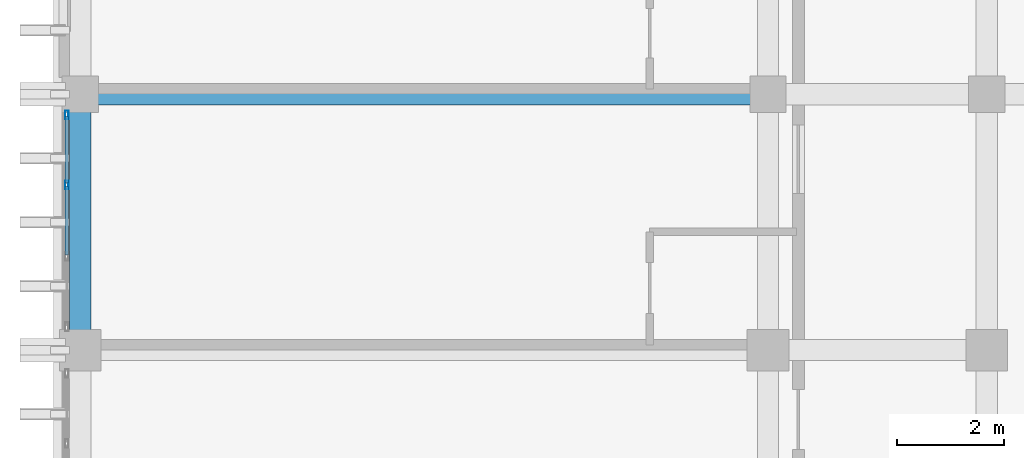
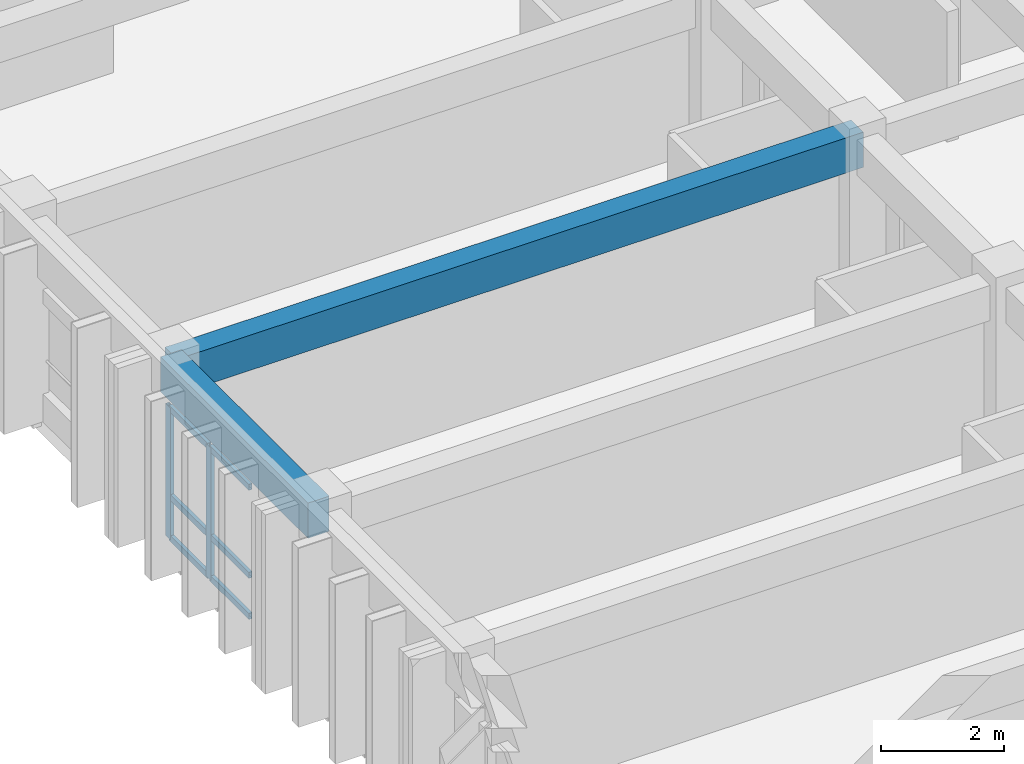
# One storey, part 18 of 68: 8 members, 2 beams, 1 element without a shape of its own.
"""IFC4 building model written with IfcOpenShell, lengths in metres."""

from ifc_helpers import new_model, si_unit, direction, frame, origin, origin_2d, place, context, subcontext, project, spatial, rectangle, hollow_rectangle, extrude, material, layer, layer_set, material_profile, profile_set, type_object, element, aggregate, save


model = new_model("IFC4")

# Units and contexts
model_context = context("Model", 3, precision=1e-05, world=origin(), true_north=direction((0.0, 1.0)))
body_context = subcontext(model_context, "Body", "Model", "MODEL_VIEW")
ifc_project = project(units=[si_unit("LENGTHUNIT", "METRE"), si_unit("AREAUNIT", "SQUARE_METRE"), si_unit("VOLUMEUNIT", "CUBIC_METRE"), si_unit("PLANEANGLEUNIT", "RADIAN"), si_unit("MASSUNIT", "GRAM", prefix="KILO")], contexts=[model_context])

# Site, building, storey
site_placement = place(None, origin())
site = spatial("IfcSite", under=ifc_project, at=site_placement, CompositionType="ELEMENT")
building_placement = place(site_placement, origin())
building = spatial("IfcBuilding", under=site, at=building_placement, Name="Nakhvara Creek Congress Hotel", CompositionType="ELEMENT")
storey_placement = place(building_placement, frame((0.0, 0.0, 24.60009765625)))
storey = spatial("IfcBuildingStorey", under=building, at=storey_placement, Name="L05", CompositionType="ELEMENT", Elevation=24.60009765625)

# Beams
ifc_material_1 = material(Name="Concrete C40/50", Category="concrete")
ifc_material_profile_1 = material_profile(ifc_material_1, rectangle(XDim=0.39990234375, YDim=0.699951171875, at=origin_2d()), Name="RC-BM 400x700", Category="LoadBearing")
ifc_profile_set_1 = profile_set([ifc_material_profile_1], Name="Concrete C40/50")
beam_type = type_object("IfcBeamType", Name="BM-RC-400X700", PredefinedType="BEAM", material=ifc_profile_set_1)
beam_1_placement = place(storey_placement, frame((149.449951171875, 57.60009765625, 2.989990234375), z_axis=(0.0, 1.0, 0.0), x_axis=(-1.0, 0.0, 0.0)))
element("IfcBeam", 1, at=beam_1_placement, inside=storey, type_object=beam_type, Name="Beam B05-L05-2068", PredefinedType="BEAM", context=body_context, shape_type="SweptSolid", body=[
    extrude(rectangle(XDim=0.39990234375, YDim=0.699951171875, at=origin_2d()), origin(), (0.0, 0.0, 1.0), 4.7998046875),
])
beam_2_placement = place(storey_placement, frame((149.449951171875, 62.39990234375, 2.989990234375), z_axis=(1.0, 0.0, 0.0), x_axis=(0.0, 1.0, 0.0)))
element("IfcBeam", 2, at=beam_2_placement, inside=storey, type_object=beam_type, Name="Beam B05-L05-2170", PredefinedType="BEAM", context=body_context, shape_type="SweptSolid", body=[
    extrude(rectangle(XDim=0.39990234375, YDim=0.699951171875, at=origin_2d()), origin(), (0.0, 0.0, 1.0), 12.900146484375),
])

# Curtain wall, members
ifc_material_2 = material(Name="Bronze-anodised aluminium AW-6063-T6 and double-silver low-E glass", Category="aluminium")
ifc_layer = layer(ifc_material_2, 0.199951171875)
ifc_layer_set = layer_set([ifc_layer], Name="Bronze-anodised aluminium AW-6063-T6 and double-silver low-E glass")
curtain_wall_type = type_object("IfcCurtainWallType", Name="CW-HTL-UNIT", PredefinedType="USERDEFINED", material=ifc_layer_set)
curtain_wall_placement = place(storey_placement, origin())
curtain_wall = element("IfcCurtainWall", 3, at=curtain_wall_placement, inside=storey, type_object=curtain_wall_type, Name="Curtain Wall CW211", ObjectType="UNITISED", PredefinedType="USERDEFINED")
ifc_material_3 = material(Name="Bronze-anodised aluminium AW-6063-T6", Category="aluminium")
ifc_material_profile_2 = material_profile(ifc_material_3, hollow_rectangle(XDim=0.06494140625, YDim=0.159912109375, WallThickness=0.00390625, at=origin_2d()), Name="ALU-MULL 65x160x4", Category="LoadBearing")
ifc_profile_set_2 = profile_set([ifc_material_profile_2], Name="Bronze-anodised aluminium AW-6063-T6")
member_type_1 = type_object("IfcMemberType", Name="CW-MULL-160", PredefinedType="MULLION", material=ifc_profile_set_2)
member_1_placement = place(storey_placement, frame((149.199951171875, 60.6982421875, 0.0), z_axis=(0.0, 0.0, 1.0), x_axis=(-1.0, 0.0, 0.0)))
member_1 = element("IfcMember", 4, at=member_1_placement, type_object=member_type_1, Name="CW211 mullion 3", PredefinedType="MULLION", context=body_context, shape_type="SweptSolid", body=[
    extrude(hollow_rectangle(XDim=0.06494140625, YDim=0.159912109375, WallThickness=0.00390625, at=origin_2d()), origin(), (0.0, 0.0, 1.0), 2.6318359375),
])
member_2_placement = place(storey_placement, frame((149.199951171875, 62.012451171875, 0.0), z_axis=(0.0, 0.0, 1.0), x_axis=(-1.0, 0.0, 0.0)))
member_2 = element("IfcMember", 5, at=member_2_placement, type_object=member_type_1, Name="CW211 mullion 4", PredefinedType="MULLION", context=body_context, shape_type="SweptSolid", body=[
    extrude(hollow_rectangle(XDim=0.06494140625, YDim=0.159912109375, WallThickness=0.00390625, at=origin_2d()), origin(), (0.0, 0.0, 1.0), 2.6318359375),
])
ifc_material_profile_3 = material_profile(ifc_material_3, hollow_rectangle(XDim=0.06494140625, YDim=0.1201171875, WallThickness=0.00390625, at=origin_2d()), Name="ALU-TRAN 65x120x4", Category="LoadBearing")
ifc_profile_set_3 = profile_set([ifc_material_profile_3], Name="Bronze-anodised aluminium AW-6063-T6")
member_type_2 = type_object("IfcMemberType", Name="CW-TRAN-120", PredefinedType="USERDEFINED", material=ifc_profile_set_3)
member_3_placement = place(storey_placement, frame((149.199951171875, 59.38427734375, 0.032470703125), z_axis=(0.0, 1.0, 0.0), x_axis=(-1.0, 0.0, 0.0)))
member_3 = element("IfcMember", 6, at=member_3_placement, type_object=member_type_2, Name="CW211 transom 2.1", ObjectType="TRANSOM", PredefinedType="USERDEFINED", context=body_context, shape_type="SweptSolid", body=[
    extrude(hollow_rectangle(XDim=0.06494140625, YDim=0.1201171875, WallThickness=0.00390625, at=origin_2d()), origin(), (0.0, 0.0, 1.0), 1.281494140625),
])
member_4_placement = place(storey_placement, frame((149.199951171875, 59.38427734375, 0.849853515625), z_axis=(0.0, 1.0, 0.0), x_axis=(-1.0, 0.0, 0.0)))
member_4 = element("IfcMember", 7, at=member_4_placement, type_object=member_type_2, Name="CW211 transom 2.2", ObjectType="TRANSOM", PredefinedType="USERDEFINED", context=body_context, shape_type="SweptSolid", body=[
    extrude(hollow_rectangle(XDim=0.06494140625, YDim=0.1201171875, WallThickness=0.00390625, at=origin_2d()), origin(), (0.0, 0.0, 1.0), 1.281494140625),
])
member_5_placement = place(storey_placement, frame((149.199951171875, 59.38427734375, 2.599365234375), z_axis=(0.0, 1.0, 0.0), x_axis=(-1.0, 0.0, 0.0)))
member_5 = element("IfcMember", 8, at=member_5_placement, type_object=member_type_2, Name="CW211 transom 2.3", ObjectType="TRANSOM", PredefinedType="USERDEFINED", context=body_context, shape_type="SweptSolid", body=[
    extrude(hollow_rectangle(XDim=0.06494140625, YDim=0.1201171875, WallThickness=0.00390625, at=origin_2d()), origin(), (0.0, 0.0, 1.0), 1.281494140625),
])
member_6_placement = place(storey_placement, frame((149.199951171875, 60.730712890625, 0.032470703125), z_axis=(0.0, 1.0, 0.0), x_axis=(-1.0, 0.0, 0.0)))
member_6 = element("IfcMember", 9, at=member_6_placement, type_object=member_type_2, Name="CW211 transom 3.1", ObjectType="TRANSOM", PredefinedType="USERDEFINED", context=body_context, shape_type="SweptSolid", body=[
    extrude(hollow_rectangle(XDim=0.06494140625, YDim=0.1201171875, WallThickness=0.00390625, at=origin_2d()), origin(), (0.0, 0.0, 1.0), 1.249267578125),
])
member_7_placement = place(storey_placement, frame((149.199951171875, 60.730712890625, 0.849853515625), z_axis=(0.0, 1.0, 0.0), x_axis=(-1.0, 0.0, 0.0)))
member_7 = element("IfcMember", 10, at=member_7_placement, type_object=member_type_2, Name="CW211 transom 3.2", ObjectType="TRANSOM", PredefinedType="USERDEFINED", context=body_context, shape_type="SweptSolid", body=[
    extrude(hollow_rectangle(XDim=0.06494140625, YDim=0.1201171875, WallThickness=0.00390625, at=origin_2d()), origin(), (0.0, 0.0, 1.0), 1.249267578125),
])
member_8_placement = place(storey_placement, frame((149.199951171875, 60.730712890625, 2.599365234375), z_axis=(0.0, 1.0, 0.0), x_axis=(-1.0, 0.0, 0.0)))
member_8 = element("IfcMember", 11, at=member_8_placement, type_object=member_type_2, Name="CW211 transom 3.3", ObjectType="TRANSOM", PredefinedType="USERDEFINED", context=body_context, shape_type="SweptSolid", body=[
    extrude(hollow_rectangle(XDim=0.06494140625, YDim=0.1201171875, WallThickness=0.00390625, at=origin_2d()), origin(), (0.0, 0.0, 1.0), 1.249267578125),
])
aggregate(curtain_wall, [member_1, member_2, member_3, member_4, member_5, member_6, member_7, member_8])

save(model, "model.ifc")
